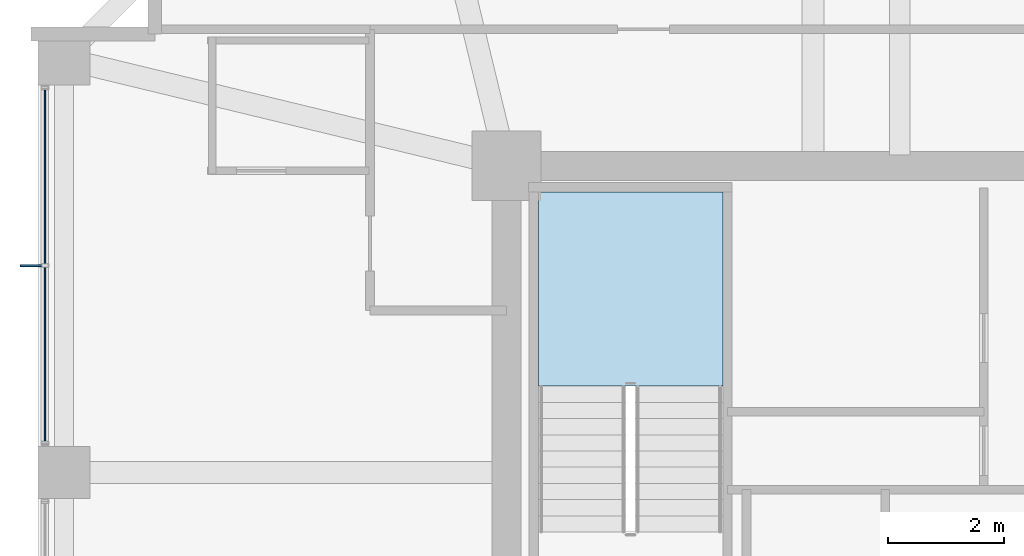
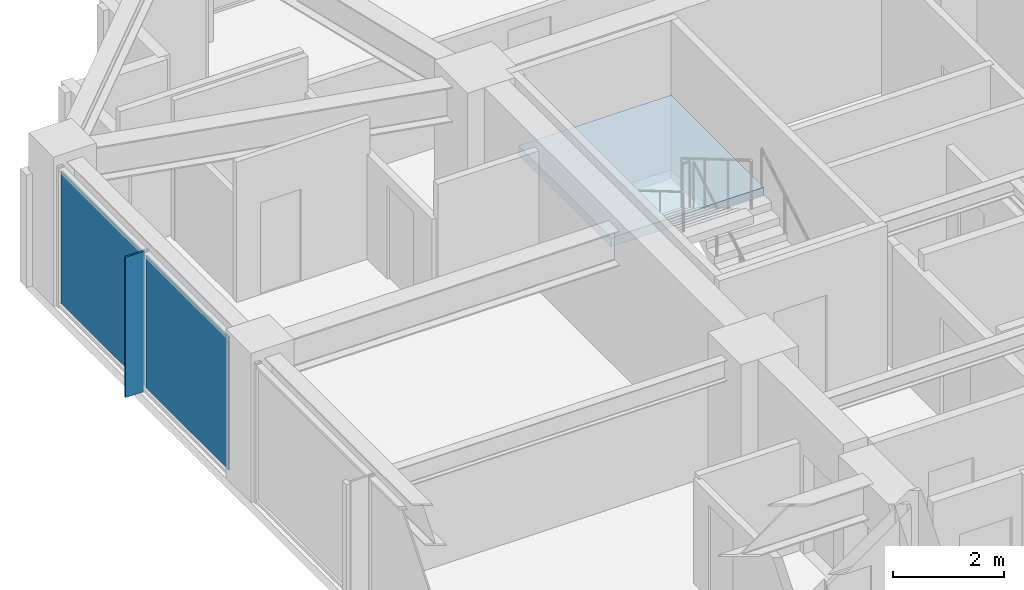
# One storey, part 23 of 31: 3 plates, 1 slab, 2 elements without a shape of their own.
"""IFC4 building model written with IfcOpenShell, lengths in metres."""

from ifc_helpers import new_model, si_unit, direction, frame, origin, origin_2d, place, context, subcontext, project, spatial, polyline, rectangle, outline, extrude, material, layer, layer_set, type_object, element, aggregate, save


model = new_model("IFC4")

# Units and contexts
model_context = context("Model", 3, precision=1e-05, world=origin(), true_north=direction((0.0, 1.0)))
body_context = subcontext(model_context, "Body", "Model", "MODEL_VIEW")
ifc_project = project(units=[si_unit("LENGTHUNIT", "METRE"), si_unit("AREAUNIT", "SQUARE_METRE"), si_unit("VOLUMEUNIT", "CUBIC_METRE"), si_unit("PLANEANGLEUNIT", "RADIAN"), si_unit("MASSUNIT", "GRAM", prefix="KILO")], contexts=[model_context])

# Site, building, storey
site_placement = place(None, origin())
site = spatial("IfcSite", under=ifc_project, at=site_placement, CompositionType="ELEMENT")
building_placement = place(site_placement, origin())
building = spatial("IfcBuilding", under=site, at=building_placement, Name="Kolvaren Belvedere", CompositionType="ELEMENT")
storey_placement = place(building_placement, frame((0.0, 0.0, 138.199951171875)))
storey = spatial("IfcBuildingStorey", under=building, at=storey_placement, Name="L40", CompositionType="ELEMENT", Elevation=138.199951171875)

# Curtain wall, plates
ifc_material_1 = material(Name="Anodised pale-metal aluminium AA 6063-T6", Category="aluminium")
curtain_wall_type = type_object("IfcCurtainWallType", Name="CW-Z3-WAIST", PredefinedType="NOTDEFINED", material=ifc_material_1)
curtain_wall_placement = place(storey_placement, origin())
curtain_wall = element("IfcCurtainWall", 1, at=curtain_wall_placement, inside=storey, type_object=curtain_wall_type, Name="L40 Unitised Curtain Wall FCW-L40-W-B3", PredefinedType="NOTDEFINED")
ifc_material_2 = material(Name="Low-iron triple insulated glass", Category="glass")
ifc_layer_1 = layer(ifc_material_2, 0.028076171875)
ifc_layer_set_1 = layer_set([ifc_layer_1], Name="Low-iron triple insulated glass")
plate_type_1 = type_object("IfcPlateType", Name="CW-PNL-VIS28", PredefinedType="CURTAIN_PANEL", material=ifc_layer_set_1)
plate_1_placement = place(storey_placement, frame((-17.8798828125, 6.638671875, 0.080078125), z_axis=(0.0, 0.0, 1.0), x_axis=(0.0, 1.0, 0.0)))
plate_1 = element("IfcPlate", 2, at=plate_1_placement, type_object=plate_type_1, Name="FCW-L40-W-B3 Vision Glazing Panel 1", PredefinedType="CURTAIN_PANEL", context=body_context, shape_type="SweptSolid", body=[
    extrude(rectangle(XDim=2.992431640625, YDim=0.028076171875, at=origin_2d()), origin(), (0.0, 0.0, 1.0), 2.93994140625),
])
plate_2_placement = place(storey_placement, frame((-17.8798828125, 9.711181640625, 0.080078125), z_axis=(0.0, 0.0, 1.0), x_axis=(0.0, 1.0, 0.0)))
plate_2 = element("IfcPlate", 3, at=plate_2_placement, type_object=plate_type_1, Name="FCW-L40-W-B3 Vision Glazing Panel 2", PredefinedType="CURTAIN_PANEL", context=body_context, shape_type="SweptSolid", body=[
    extrude(rectangle(XDim=2.992431640625, YDim=0.028076171875, at=origin_2d()), origin(), (0.0, 0.0, 1.0), 2.93994140625),
])
aggregate(curtain_wall, [plate_1, plate_2])

# Plate
ifc_material_3 = material(Name="Anodised pale-metal aluminium AA 6063-T6", Category="aluminium")
ifc_layer_2 = layer(ifc_material_3, 0.033935546875)
ifc_layer_set_2 = layer_set([ifc_layer_2], Name="Anodised pale-metal aluminium AA 6063-T6")
plate_type_2 = type_object("IfcPlateType", Name="FIN-VERT-380", PredefinedType="USERDEFINED", material=ifc_layer_set_2)
plate_3_placement = place(storey_placement, frame((-18.1201171875, 8.175048828125, 0.0), z_axis=(0.0, 0.0, 1.0), x_axis=(1.0, 0.0, 0.0)))
element("IfcPlate", 4, at=plate_3_placement, inside=storey, type_object=plate_type_2, Name="L40 Pale-Metal Vertical Shading Fin FCW-L40-W-B3-1", ObjectType="VERTICAL FIN", PredefinedType="USERDEFINED", context=body_context, shape_type="SweptSolid", body=[
    extrude(rectangle(XDim=0.3798828125, YDim=0.033935546875, at=origin_2d()), origin(), (0.0, 0.0, 1.0), 3.10009765625),
])

# Stair, slab
ifc_material_4 = material(Name="Concrete C50/60", Category="concrete")
stair_type = type_object("IfcStairType", Name="ST-CORE-1520", PredefinedType="HALF_TURN_STAIR", material=ifc_material_4)
stair_placement = place(storey_placement, origin())
stair = element("IfcStair", 5, at=stair_placement, inside=storey, type_object=stair_type, Name="L40 Protected Exit Stair ST-1", PredefinedType="HALF_TURN_STAIR")
ifc_material_5 = material(Name="Concrete C50/60", Category="concrete")
ifc_layer_3 = layer(ifc_material_5, 0.260009765625)
ifc_layer_set_3 = layer_set([ifc_layer_3], Name="Concrete C50/60")
slab_type = type_object("IfcSlabType", Name="SL-LAND-260", PredefinedType="LANDING", material=ifc_layer_set_3)
slab_placement = place(storey_placement, frame((0.0, 0.0, 1.449951171875)))
slab = element("IfcSlab", 6, at=slab_placement, type_object=slab_type, Name="ST-1 landing 1", PredefinedType="LANDING", context=body_context, shape_type="SweptSolid", body=[
    extrude(outline(polyline([(-6.159912109375, 6.090087890625), (-6.159912109375, 9.449951171875), (-9.35009765625, 9.449951171875), (-9.35009765625, 6.090087890625), (-6.159912109375, 6.090087890625)])), origin(), (0.0, 0.0, 1.0), 0.2001953125),
])
aggregate(stair, [slab])

save(model, "model.ifc")
